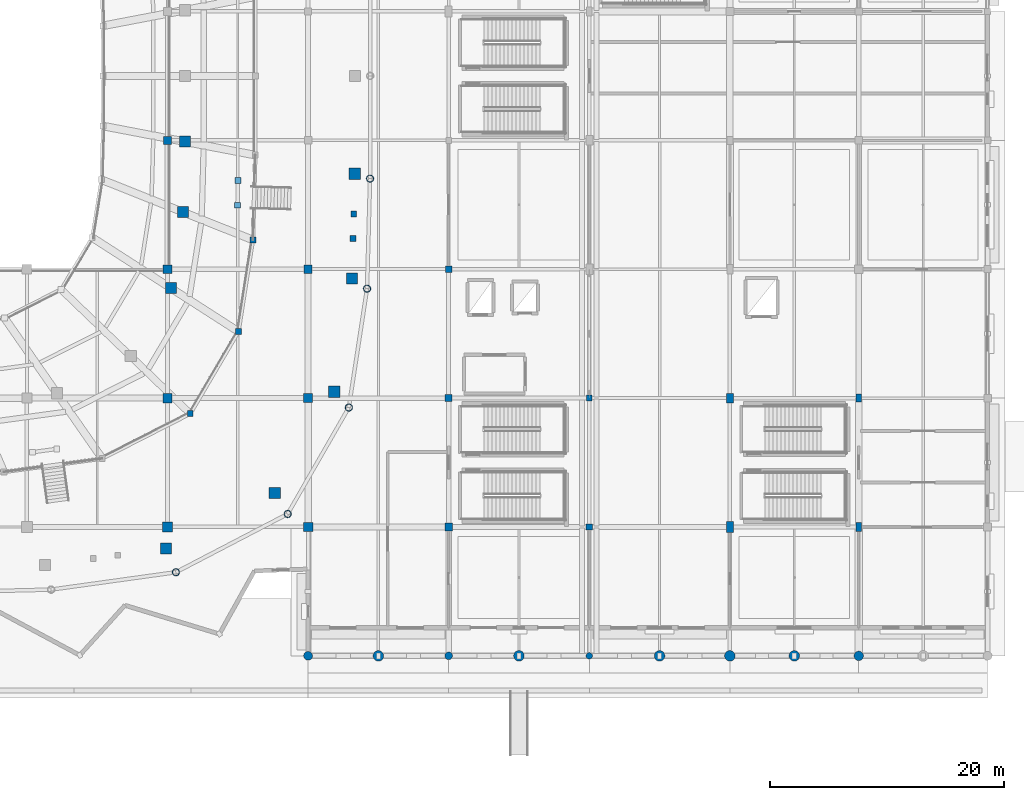
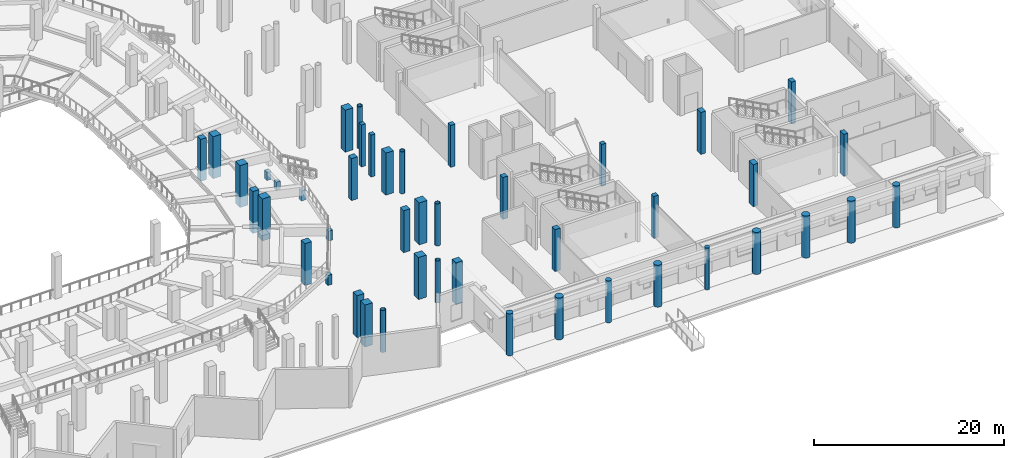
# One storey, part 10 of 120: 45 columns.
"""IFC4 building model written with IfcOpenShell, lengths in metres."""

from ifc_helpers import new_model, si_unit, direction, frame, origin, origin_2d, place, context, subcontext, project, spatial, rectangle, circle, hollow_circle, extrude, material, material_profile, profile_set, type_object, element, save


model = new_model("IFC4")

# Units and contexts
model_context = context("Model", 3, precision=1e-05, world=origin(), true_north=direction((0.0, 1.0)))
body_context = subcontext(model_context, "Body", "Model", "MODEL_VIEW")
ifc_project = project(units=[si_unit("LENGTHUNIT", "METRE"), si_unit("AREAUNIT", "SQUARE_METRE"), si_unit("VOLUMEUNIT", "CUBIC_METRE"), si_unit("PLANEANGLEUNIT", "RADIAN"), si_unit("MASSUNIT", "GRAM", prefix="KILO")], contexts=[model_context])

# Site, building, storey
site_placement = place(None, origin())
site = spatial("IfcSite", under=ifc_project, at=site_placement, CompositionType="ELEMENT")
building_placement = place(site_placement, origin())
building = spatial("IfcBuilding", under=site, at=building_placement, Name="Luwafu Chhajja Arena", CompositionType="ELEMENT")
storey_placement = place(building_placement, origin())
storey = spatial("IfcBuildingStorey", under=building, at=storey_placement, Name="L00", CompositionType="ELEMENT", Elevation=0.0)

# Columns
ifc_material_1 = material(Name="Concrete C35/45", Category="concrete")
ifc_material_profile_1 = material_profile(ifc_material_1, rectangle(XDim=0.5, YDim=0.800048828125, at=origin_2d()), Name="RC 500x800")
ifc_profile_set_1 = profile_set([ifc_material_profile_1], Name="Concrete C35/45")
column_type_1 = type_object("IfcColumnType", Name="BOH Frame Column RC 500x800", PredefinedType="COLUMN", material=ifc_profile_set_1)
column_1_placement = place(storey_placement, frame((187.0, 11.0, 0.0), z_axis=(0.0, 0.0, 1.0), x_axis=(1.0, 0.0, 0.0)))
element("IfcColumn", 1, at=column_1_placement, inside=storey, type_object=column_type_1, Name="L00 Grid Column 17/B", PredefinedType="COLUMN", context=body_context, shape_type="SweptSolid", body=[
    extrude(rectangle(XDim=0.5, YDim=0.800048828125, at=origin_2d()), origin(), (0.0, 0.0, 1.0), 5.39990234375),
])
ifc_material_2 = material(Name="Concrete C40/50", Category="concrete")
ifc_material_profile_2 = material_profile(ifc_material_2, rectangle(XDim=0.949951171875, YDim=0.949951171875, at=origin_2d()), Name="RC 950x950")
ifc_profile_set_2 = profile_set([ifc_material_profile_2], Name="Concrete C40/50")
column_type_2 = type_object("IfcColumnType", Name="Bowl Raker Support Column RC 950", PredefinedType="COLUMN", material=ifc_profile_set_2)
for number, where, z_axis, x_axis, name in (
    (2, (128.298583984375, 31.399658203125, 0.0), (0.0, 0.0, 1.0), (1.0, 0.0, 0.0), "L00 Upper Bowl Raker Column UI30"),
    (3, (129.323486328125, 37.88671875, 0.0), (0.0, 0.0, 1.0), (1.0, 0.0, 0.0), "L00 Upper Bowl Raker Column UI31"),
    (4, (129.49169921875, 43.89208984375, 0.0), (0.0, 0.0, 1.0), (1.0, 0.0, 0.0), "L00 Upper Bowl Raker Column UI32"),
    (5, (127.883544921875, 9.154541015625, 0.0), (0.0, 0.0, 1.0), (1.0, 0.0, 0.0), "L00 Upper Bowl Raker Column UO28"),
    (6, (137.15380859375, 13.8896484375, 0.0), (0.0, 0.0, 1.0), (1.0, 0.0, 0.0), "L00 Upper Bowl Raker Column UO29"),
    (7, (142.227294921875, 22.5419921875, 0.0), (0.0, 0.0, 1.0), (1.0, 0.0, 0.0), "L00 Upper Bowl Raker Column UO30"),
    (8, (143.739501953125, 32.20361328125, 0.0), (0.0, 0.0, 1.0), (1.0, 0.0, 0.0), "L00 Upper Bowl Raker Column UO31"),
    (9, (143.98779296875, 41.14794921875, 0.0), (0.0, 0.0, 1.0), (1.0, 0.0, 0.0), "L00 Upper Bowl Raker Column UO32"),
):
    element("IfcColumn", number, at=place(storey_placement, frame(where, z_axis=z_axis, x_axis=x_axis)), inside=storey, type_object=column_type_2, Name=name, PredefinedType="COLUMN", context=body_context, shape_type="SweptSolid", body=[
        extrude(rectangle(XDim=0.949951171875, YDim=0.949951171875, at=origin_2d()), origin(), (0.0, 0.0, 1.0), 5.39990234375),
    ])
ifc_material_profile_3 = material_profile(ifc_material_1, circle(Radius=0.375, at=origin_2d()), Name="RC COL D750")
ifc_profile_set_3 = profile_set([ifc_material_profile_3], Name="Concrete C35/45")
column_type_3 = type_object("IfcColumnType", Name="Charbagh Cloister Pier D750", PredefinedType="COLUMN", material=ifc_profile_set_3)
column_2_placement = place(storey_placement, frame((140.0, 0.0, 0.0), z_axis=(0.0, 0.0, 1.0), x_axis=(1.0, 0.0, 0.0)))
element("IfcColumn", 10, at=column_2_placement, inside=storey, type_object=column_type_3, Name="L00 Grid Column 13/A", PredefinedType="COLUMN", context=body_context, shape_type="SweptSolid", body=[
    extrude(circle(Radius=0.375, at=origin_2d()), origin(), (0.0, 0.0, 1.0), 5.39990234375),
])
ifc_material_profile_4 = material_profile(ifc_material_1, rectangle(XDim=0.85009765625, YDim=0.85009765625, at=origin_2d()), Name="RC 850x850")
ifc_profile_set_4 = profile_set([ifc_material_profile_4], Name="Concrete C35/45")
column_type_4 = type_object("IfcColumnType", Name="Concourse Heavy Column RC 850", PredefinedType="COLUMN", material=ifc_profile_set_4)
column_3_placement = place(storey_placement, frame((128.0, 11.0, 0.0), z_axis=(0.0, 0.0, 1.0), x_axis=(1.0, 0.0, 0.0)))
element("IfcColumn", 11, at=column_3_placement, inside=storey, type_object=column_type_4, Name="L00 Grid Column 12/B", PredefinedType="COLUMN", context=body_context, shape_type="SweptSolid", body=[
    extrude(rectangle(XDim=0.85009765625, YDim=0.85009765625, at=origin_2d()), origin(), (0.0, 0.0, 1.0), 5.39990234375),
])
ifc_material_profile_5 = material_profile(ifc_material_1, rectangle(XDim=0.800048828125, YDim=0.800048828125, at=origin_2d()), Name="RC 800x800")
ifc_profile_set_5 = profile_set([ifc_material_profile_5], Name="Concrete C35/45")
column_type_5 = type_object("IfcColumnType", Name="Concourse Standard Column RC 800", PredefinedType="COLUMN", material=ifc_profile_set_5)
for number, where, z_axis, x_axis, name in (
    (12, (128.0, 22.0, 0.0), (0.0, 0.0, 1.0), (1.0, 0.0, 0.0), "L00 Grid Column 12/C"),
    (13, (140.0, 11.0, 0.0), (0.0, 0.0, 1.0), (1.0, 0.0, 0.0), "L00 Grid Column 13/B"),
):
    element("IfcColumn", number, at=place(storey_placement, frame(where, z_axis=z_axis, x_axis=x_axis)), inside=storey, type_object=column_type_5, Name=name, PredefinedType="COLUMN", context=body_context, shape_type="SweptSolid", body=[
        extrude(rectangle(XDim=0.800048828125, YDim=0.800048828125, at=origin_2d()), origin(), (0.0, 0.0, 1.0), 5.39990234375),
    ])
ifc_material_profile_6 = material_profile(ifc_material_1, circle(Radius=0.324951171875, at=origin_2d()), Name="RC COL D650")
ifc_profile_set_6 = profile_set([ifc_material_profile_6], Name="Concrete C35/45")
column_type_6 = type_object("IfcColumnType", Name="Courtyard Arcade Pier D650", PredefinedType="COLUMN", material=ifc_profile_set_6)
column_4_placement = place(storey_placement, frame((152.0, 0.0, 0.0), z_axis=(0.0, 0.0, 1.0), x_axis=(1.0, 0.0, 0.0)))
element("IfcColumn", 14, at=column_4_placement, inside=storey, type_object=column_type_6, Name="L00 Grid Column 14/A", PredefinedType="COLUMN", context=body_context, shape_type="SweptSolid", body=[
    extrude(circle(Radius=0.324951171875, at=origin_2d()), origin(), (0.0, 0.0, 1.0), 5.39990234375),
])
ifc_material_profile_7 = material_profile(ifc_material_2, circle(Radius=0.39990234375, at=origin_2d()), Name="RC COL D800")
ifc_profile_set_7 = profile_set([ifc_material_profile_7], Name="Concrete C40/50")
column_type_7 = type_object("IfcColumnType", Name="Foyer Rotunda Pier D800", PredefinedType="COLUMN", material=ifc_profile_set_7)
column_5_placement = place(storey_placement, frame((187.0, 0.0, 0.0), z_axis=(0.0, 0.0, 1.0), x_axis=(1.0, 0.0, 0.0)))
element("IfcColumn", 15, at=column_5_placement, inside=storey, type_object=column_type_7, Name="L00 Grid Column 17/A", PredefinedType="COLUMN", context=body_context, shape_type="SweptSolid", body=[
    extrude(circle(Radius=0.39990234375, at=origin_2d()), origin(), (0.0, 0.0, 1.0), 5.39990234375),
])
ifc_material_profile_8 = material_profile(ifc_material_1, rectangle(XDim=0.550048828125, YDim=0.550048828125, at=origin_2d()), Name="RC 550x550")
ifc_profile_set_8 = profile_set([ifc_material_profile_8], Name="Concrete C35/45")
column_type_8 = type_object("IfcColumnType", Name="Gallery Column RC 550", PredefinedType="COLUMN", material=ifc_profile_set_8)
for number, where, z_axis, x_axis, name in (
    (16, (152.0, 33.0, 0.0), (0.0, 0.0, 1.0), (1.0, 0.0, 0.0), "L00 Grid Column 14/D"),
    (17, (164.0, 11.0, 0.0), (0.0, 0.0, 1.0), (1.0, 0.0, 0.0), "L00 Grid Column 15/B"),
):
    element("IfcColumn", number, at=place(storey_placement, frame(where, z_axis=z_axis, x_axis=x_axis)), inside=storey, type_object=column_type_8, Name=name, PredefinedType="COLUMN", context=body_context, shape_type="SweptSolid", body=[
        extrude(rectangle(XDim=0.550048828125, YDim=0.550048828125, at=origin_2d()), origin(), (0.0, 0.0, 1.0), 5.39990234375),
    ])
ifc_material_profile_9 = material_profile(ifc_material_1, rectangle(XDim=0.75, YDim=0.75, at=origin_2d()), Name="RC 750x750")
ifc_profile_set_9 = profile_set([ifc_material_profile_9], Name="Concrete C35/45")
column_type_9 = type_object("IfcColumnType", Name="Hospitality Ring Column RC 750", PredefinedType="COLUMN", material=ifc_profile_set_9)
for number, where, z_axis, x_axis, name in (
    (18, (128.0, 33.0, 0.0), (0.0, 0.0, 1.0), (1.0, 0.0, 0.0), "L00 Grid Column 12/D"),
    (19, (140.0, 22.0, 0.0), (0.0, 0.0, 1.0), (1.0, 0.0, 0.0), "L00 Grid Column 13/C"),
):
    element("IfcColumn", number, at=place(storey_placement, frame(where, z_axis=z_axis, x_axis=x_axis)), inside=storey, type_object=column_type_9, Name=name, PredefinedType="COLUMN", context=body_context, shape_type="SweptSolid", body=[
        extrude(rectangle(XDim=0.75, YDim=0.75, at=origin_2d()), origin(), (0.0, 0.0, 1.0), 5.39990234375),
    ])
ifc_material_profile_10 = material_profile(ifc_material_1, rectangle(XDim=0.60009765625, YDim=0.60009765625, at=origin_2d()), Name="RC 600x600")
ifc_profile_set_10 = profile_set([ifc_material_profile_10], Name="Concrete C35/45")
column_type_10 = type_object("IfcColumnType", Name="Mezzanine Column RC 600", PredefinedType="COLUMN", material=ifc_profile_set_10)
column_6_placement = place(storey_placement, frame((152.0, 22.0, 0.0), z_axis=(0.0, 0.0, 1.0), x_axis=(1.0, 0.0, 0.0)))
element("IfcColumn", 20, at=column_6_placement, inside=storey, type_object=column_type_10, Name="L00 Grid Column 14/C", PredefinedType="COLUMN", context=body_context, shape_type="SweptSolid", body=[
    extrude(rectangle(XDim=0.60009765625, YDim=0.60009765625, at=origin_2d()), origin(), (0.0, 0.0, 1.0), 5.39990234375),
])
ifc_material_profile_11 = material_profile(ifc_material_2, circle(Radius=0.449951171875, at=origin_2d()), Name="RC COL D900")
ifc_profile_set_11 = profile_set([ifc_material_profile_11], Name="Concrete C40/50")
column_type_11 = type_object("IfcColumnType", Name="Mughal Colonnade Drum Pier D900", PredefinedType="COLUMN", material=ifc_profile_set_11)
for number, where, z_axis, x_axis, name in (
    (21, (176.0, 0.0, 0.0), (0.0, 0.0, 1.0), (1.0, 0.0, 0.0), "L00 Grid Column 16/A"),
    (22, (146.0, 0.0, 0.0), (0.0, 0.0, 1.0), (1.0, 0.0, 0.0), "L00 Mughal Riwaq Colonnade Pier SLW12"),
    (23, (158.0, 0.0, 0.0), (0.0, 0.0, 1.0), (1.0, 0.0, 0.0), "L00 Mughal Riwaq Colonnade Pier SLW13"),
    (24, (170.0, 0.0, 0.0), (0.0, 0.0, 1.0), (1.0, 0.0, 0.0), "L00 Mughal Riwaq Colonnade Pier SLW14"),
    (25, (181.5, 0.0, 0.0), (0.0, 0.0, 1.0), (1.0, 0.0, 0.0), "L00 Mughal Riwaq Colonnade Pier SLW15"),
):
    element("IfcColumn", number, at=place(storey_placement, frame(where, z_axis=z_axis, x_axis=x_axis)), inside=storey, type_object=column_type_11, Name=name, PredefinedType="COLUMN", context=body_context, shape_type="SweptSolid", body=[
        extrude(circle(Radius=0.449951171875, at=origin_2d()), origin(), (0.0, 0.0, 1.0), 5.39990234375),
    ])
ifc_material_profile_12 = material_profile(ifc_material_1, rectangle(XDim=0.5, YDim=0.5, at=origin_2d()), Name="RC 500x500")
ifc_profile_set_12 = profile_set([ifc_material_profile_12], Name="Concrete C35/45")
column_type_12 = type_object("IfcColumnType", Name="Pavilion Column RC 500", PredefinedType="COLUMN", material=ifc_profile_set_12)
column_7_placement = place(storey_placement, frame((164.0, 22.0, 0.0), z_axis=(0.0, 0.0, 1.0), x_axis=(1.0, 0.0, 0.0)))
element("IfcColumn", 26, at=column_7_placement, inside=storey, type_object=column_type_12, Name="L00 Grid Column 15/C", PredefinedType="COLUMN", context=body_context, shape_type="SweptSolid", body=[
    extrude(rectangle(XDim=0.5, YDim=0.5, at=origin_2d()), origin(), (0.0, 0.0, 1.0), 5.39990234375),
])
for number, where, z_axis, x_axis, name in (
    (27, (129.947021484375, 20.672607421875, 0.0), (0.0, 0.0, 1.0), (1.0, 0.0, 0.0), "L00 Raker Heel Plinth 29"),
    (28, (134.06201171875, 27.677001953125, 0.0), (0.0, 0.0, 1.0), (1.0, 0.0, 0.0), "L00 Raker Heel Plinth 30"),
    (29, (135.288818359375, 35.498291015625, 0.0), (0.0, 0.0, 1.0), (1.0, 0.0, 0.0), "L00 Raker Heel Plinth 31"),
):
    element("IfcColumn", number, at=place(storey_placement, frame(where, z_axis=z_axis, x_axis=x_axis)), inside=storey, type_object=column_type_12, Name=name, PredefinedType="COLUMN", context=body_context, shape_type="SweptSolid", body=[
        extrude(rectangle(XDim=0.5, YDim=0.5, at=origin_2d()), origin(), (0.0, 0.0, 1.0), 1.280029296875),
    ])
for number, where, z_axis, x_axis, name in (
    (30, (133.9658203125, 38.466796875, 0.0), (0.0, 0.0, 1.0), (1.0, 0.0, 0.0), "L00 Vomitory Header Column VL31A"),
    (31, (134.0244140625, 40.56591796875, 0.0), (0.0, 0.0, 1.0), (1.0, 0.0, 0.0), "L00 Vomitory Header Column VL31B"),
):
    element("IfcColumn", number, at=place(storey_placement, frame(where, z_axis=z_axis, x_axis=x_axis)), inside=storey, type_object=column_type_12, Name=name, PredefinedType="COLUMN", context=body_context, shape_type="SweptSolid", body=[
        extrude(rectangle(XDim=0.5, YDim=0.5, at=origin_2d()), origin(), (0.0, 0.0, 1.0), 1.050048828125),
    ])
for number, where, z_axis, x_axis, name in (
    (32, (143.834716796875, 35.626220703125, 0.0), (0.0, 0.0, 1.0), (1.0, 0.0, 0.0), "L00 Vomitory Stack Column VU31A"),
    (33, (143.892822265625, 37.725341796875, 0.0), (0.0, 0.0, 1.0), (1.0, 0.0, 0.0), "L00 Vomitory Stack Column VU31B"),
):
    element("IfcColumn", number, at=place(storey_placement, frame(where, z_axis=z_axis, x_axis=x_axis)), inside=storey, type_object=column_type_12, Name=name, PredefinedType="COLUMN", context=body_context, shape_type="SweptSolid", body=[
        extrude(rectangle(XDim=0.5, YDim=0.5, at=origin_2d()), origin(), (0.0, 0.0, 1.0), 5.39990234375),
    ])
ifc_material_profile_13 = material_profile(ifc_material_1, rectangle(XDim=0.5, YDim=0.699951171875, at=origin_2d()), Name="RC 500x700")
ifc_profile_set_13 = profile_set([ifc_material_profile_13], Name="Concrete C35/45")
column_type_13 = type_object("IfcColumnType", Name="Perimeter Pilaster Column RC 500x700", PredefinedType="COLUMN", material=ifc_profile_set_13)
column_8_placement = place(storey_placement, frame((187.0, 22.0, 0.0), z_axis=(0.0, 0.0, 1.0), x_axis=(1.0, 0.0, 0.0)))
element("IfcColumn", 34, at=column_8_placement, inside=storey, type_object=column_type_13, Name="L00 Grid Column 17/C", PredefinedType="COLUMN", context=body_context, shape_type="SweptSolid", body=[
    extrude(rectangle(XDim=0.5, YDim=0.699951171875, at=origin_2d()), origin(), (0.0, 0.0, 1.0), 5.39990234375),
])
ifc_material_profile_14 = material_profile(ifc_material_2, rectangle(XDim=0.60009765625, YDim=0.800048828125, at=origin_2d()), Name="RC 600x800")
ifc_profile_set_14 = profile_set([ifc_material_profile_14], Name="Concrete C40/50")
column_type_14 = type_object("IfcColumnType", Name="Pishtaq Pier Column RC 600x800", PredefinedType="COLUMN", material=ifc_profile_set_14)
column_9_placement = place(storey_placement, frame((176.0, 22.0, 0.0), z_axis=(0.0, 0.0, 1.0), x_axis=(1.0, 0.0, 0.0)))
element("IfcColumn", 35, at=column_9_placement, inside=storey, type_object=column_type_14, Name="L00 Grid Column 16/C", PredefinedType="COLUMN", context=body_context, shape_type="SweptSolid", body=[
    extrude(rectangle(XDim=0.60009765625, YDim=0.800048828125, at=origin_2d()), origin(), (0.0, 0.0, 1.0), 5.39990234375),
])
ifc_material_3 = material(Name="Steel S355", Category="steel")
ifc_material_profile_15 = material_profile(ifc_material_3, hollow_circle(Radius=0.304931640625, WallThickness=0.02490234375, at=origin_2d()), Name="CHS 610x25")
ifc_profile_set_15 = profile_set([ifc_material_profile_15], Name="Steel S355")
column_type_15 = type_object("IfcColumnType", Name="Steel Bowl Drum Column CHS 610", PredefinedType="COLUMN", material=ifc_profile_set_15)
for number, where, z_axis, x_axis, name in (
    (36, (128.718017578125, 7.13720703125, 0.0), (0.0, 0.0, 1.0), (1.0, 0.0, 0.0), "L00 Bowl Drum Column D28"),
    (37, (138.256103515625, 12.109130859375, 0.0), (0.0, 0.0, 1.0), (1.0, 0.0, 0.0), "L00 Bowl Drum Column D29"),
    (38, (143.47607421875, 21.194091796875, 0.0), (0.0, 0.0, 1.0), (1.0, 0.0, 0.0), "L00 Bowl Drum Column D30"),
    (39, (145.031982421875, 31.3388671875, 0.0), (0.0, 0.0, 1.0), (1.0, 0.0, 0.0), "L00 Bowl Drum Column D31"),
    (40, (145.28759765625, 40.730224609375, 0.0), (0.0, 0.0, 1.0), (1.0, 0.0, 0.0), "L00 Bowl Drum Column D32"),
):
    element("IfcColumn", number, at=place(storey_placement, frame(where, z_axis=z_axis, x_axis=x_axis)), inside=storey, type_object=column_type_15, Name=name, PredefinedType="COLUMN", context=body_context, shape_type="SweptSolid", body=[
        extrude(hollow_circle(Radius=0.304931640625, WallThickness=0.02490234375, at=origin_2d()), origin(), (0.0, 0.0, 1.0), 5.39990234375),
    ])
ifc_material_profile_16 = material_profile(ifc_material_1, circle(Radius=0.27490234375, at=origin_2d()), Name="RC COL D550")
ifc_profile_set_16 = profile_set([ifc_material_profile_16], Name="Concrete C35/45")
column_type_16 = type_object("IfcColumnType", Name="Terrace Loggia Pier D550", PredefinedType="COLUMN", material=ifc_profile_set_16)
column_10_placement = place(storey_placement, frame((164.0, 0.0, 0.0), z_axis=(0.0, 0.0, 1.0), x_axis=(1.0, 0.0, 0.0)))
element("IfcColumn", 41, at=column_10_placement, inside=storey, type_object=column_type_16, Name="L00 Grid Column 15/A", PredefinedType="COLUMN", context=body_context, shape_type="SweptSolid", body=[
    extrude(circle(Radius=0.27490234375, at=origin_2d()), origin(), (0.0, 0.0, 1.0), 5.39990234375),
])
ifc_material_profile_17 = material_profile(ifc_material_1, rectangle(XDim=0.64990234375, YDim=0.64990234375, at=origin_2d()), Name="RC 650x650")
ifc_profile_set_17 = profile_set([ifc_material_profile_17], Name="Concrete C35/45")
column_type_17 = type_object("IfcColumnType", Name="Upper Wing Column RC 650", PredefinedType="COLUMN", material=ifc_profile_set_17)
column_11_placement = place(storey_placement, frame((152.0, 11.0, 0.0), z_axis=(0.0, 0.0, 1.0), x_axis=(1.0, 0.0, 0.0)))
element("IfcColumn", 42, at=column_11_placement, inside=storey, type_object=column_type_17, Name="L00 Grid Column 14/B", PredefinedType="COLUMN", context=body_context, shape_type="SweptSolid", body=[
    extrude(rectangle(XDim=0.64990234375, YDim=0.64990234375, at=origin_2d()), origin(), (0.0, 0.0, 1.0), 5.39990234375),
])
ifc_material_profile_18 = material_profile(ifc_material_2, rectangle(XDim=0.60009765625, YDim=0.89990234375, at=origin_2d()), Name="RC 600x900")
ifc_profile_set_18 = profile_set([ifc_material_profile_18], Name="Concrete C40/50")
column_type_18 = type_object("IfcColumnType", Name="Warm-Up Hall Portal Column RC 600x900", PredefinedType="COLUMN", material=ifc_profile_set_18)
column_12_placement = place(storey_placement, frame((176.0, 11.0, 0.0), z_axis=(0.0, 0.0, 1.0), x_axis=(1.0, 0.0, 0.0)))
element("IfcColumn", 43, at=column_12_placement, inside=storey, type_object=column_type_18, Name="L00 Grid Column 16/B", PredefinedType="COLUMN", context=body_context, shape_type="SweptSolid", body=[
    extrude(rectangle(XDim=0.60009765625, YDim=0.89990234375, at=origin_2d()), origin(), (0.0, 0.0, 1.0), 5.39990234375),
])
ifc_material_profile_19 = material_profile(ifc_material_1, rectangle(XDim=0.699951171875, YDim=0.699951171875, at=origin_2d()), Name="RC 700x700")
ifc_profile_set_19 = profile_set([ifc_material_profile_19], Name="Concrete C35/45")
column_type_19 = type_object("IfcColumnType", Name="Wing Frame Column RC 700", PredefinedType="COLUMN", material=ifc_profile_set_19)
for number, where, z_axis, x_axis, name in (
    (44, (128.0, 44.0, 0.0), (0.0, 0.0, 1.0), (1.0, 0.0, 0.0), "L00 Grid Column 12/E"),
    (45, (140.0, 33.0, 0.0), (0.0, 0.0, 1.0), (1.0, 0.0, 0.0), "L00 Grid Column 13/D"),
):
    element("IfcColumn", number, at=place(storey_placement, frame(where, z_axis=z_axis, x_axis=x_axis)), inside=storey, type_object=column_type_19, Name=name, PredefinedType="COLUMN", context=body_context, shape_type="SweptSolid", body=[
        extrude(rectangle(XDim=0.699951171875, YDim=0.699951171875, at=origin_2d()), origin(), (0.0, 0.0, 1.0), 5.39990234375),
    ])

save(model, "model.ifc")
